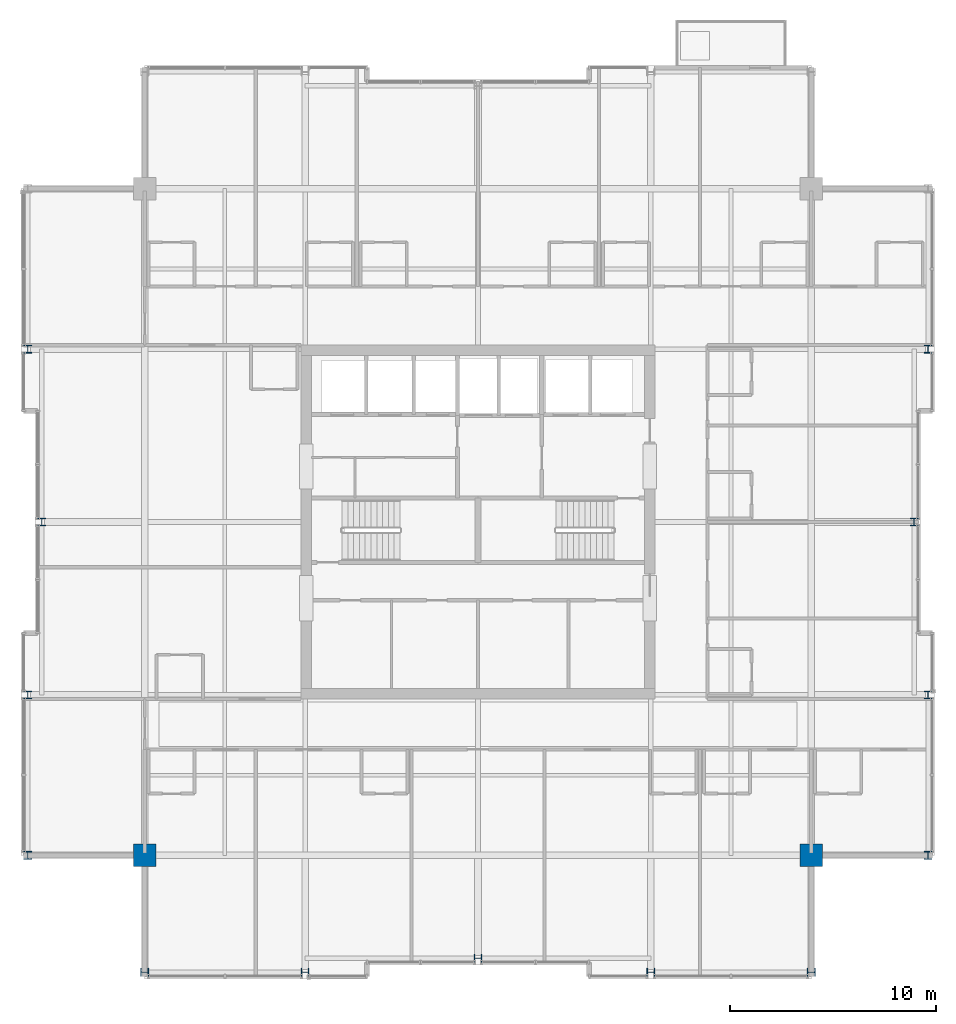
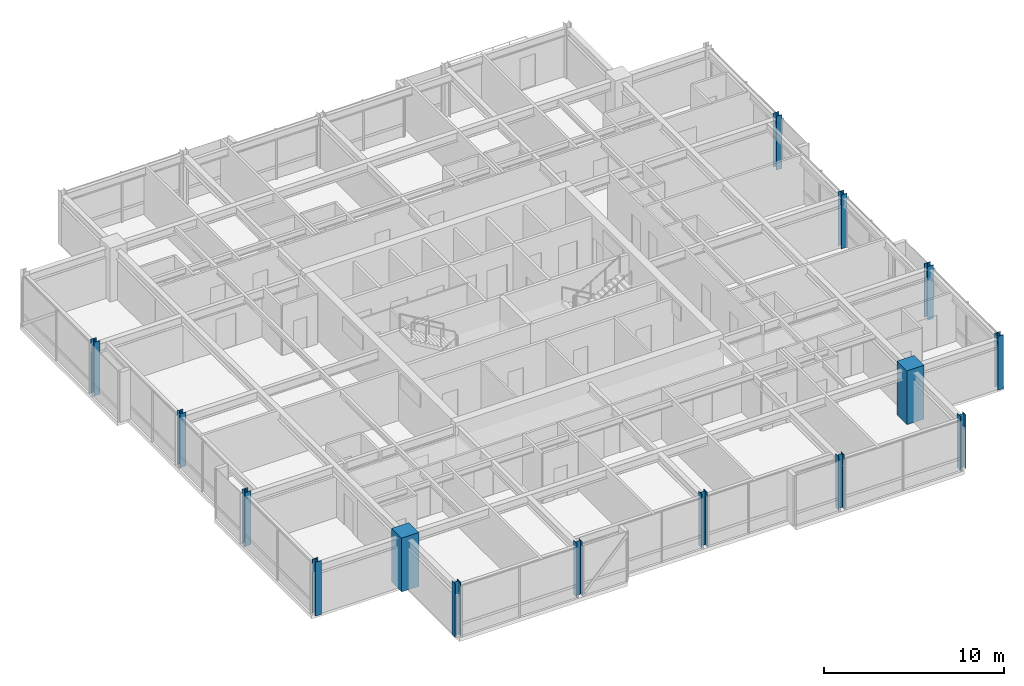
# One storey, part 1 of 33: 15 columns.
"""IFC4 building model written with IfcOpenShell, lengths in metres."""

from ifc_helpers import new_model, si_unit, direction, frame, origin, origin_2d, place, context, subcontext, project, spatial, rectangle, i_section, extrude, material, material_profile, profile_set, type_object, element, save


model = new_model("IFC4")

# Units and contexts
model_context = context("Model", 3, precision=1e-05, world=origin(), true_north=direction((0.0, 1.0)))
body_context = subcontext(model_context, "Body", "Model", "MODEL_VIEW")
ifc_project = project(units=[si_unit("LENGTHUNIT", "METRE"), si_unit("AREAUNIT", "SQUARE_METRE"), si_unit("VOLUMEUNIT", "CUBIC_METRE"), si_unit("PLANEANGLEUNIT", "RADIAN"), si_unit("MASSUNIT", "GRAM", prefix="KILO")], contexts=[model_context])

# Site, building, storey
site_placement = place(None, origin())
site = spatial("IfcSite", under=ifc_project, at=site_placement, CompositionType="ELEMENT")
building_placement = place(site_placement, origin())
building = spatial("IfcBuilding", under=site, at=building_placement, Name="Drelvath Grand Hotel", CompositionType="ELEMENT")
storey_placement = place(building_placement, frame((0.0, 0.0, 268.64990234375)))
storey = spatial("IfcBuildingStorey", under=building, at=storey_placement, Name="L70", CompositionType="ELEMENT", Elevation=268.64990234375)

# Columns
ifc_material_1 = material(Name="Concrete f'c 55 MPa", Category="concrete")
ifc_material_profile_1 = material_profile(ifc_material_1, rectangle(XDim=1.10009765625, YDim=1.10009765625, at=origin_2d()), Name="MC1100X1100")
ifc_profile_set_1 = profile_set([ifc_material_profile_1], Name="Concrete f'c 55 MPa")
column_type_1 = type_object("IfcColumnType", Name="Composite Mega Column MC1100X1100", PredefinedType="COLUMN", material=ifc_profile_set_1)
for number, where, z_axis, x_axis, name in (
    (1, (-16.199951171875, 10.800048828125, 0.0), (0.0, 0.0, 1.0), (1.0, 0.0, 0.0), "L70 Composite Mega Column MC-SW"),
    (2, (16.199951171875, 10.800048828125, 0.0), (0.0, 0.0, 1.0), (1.0, 0.0, 0.0), "L70 Composite Mega Column MC-SE"),
):
    element("IfcColumn", number, at=place(storey_placement, frame(where, z_axis=z_axis, x_axis=x_axis)), inside=storey, type_object=column_type_1, Name=name, PredefinedType="COLUMN", context=body_context, shape_type="SweptSolid", body=[
        extrude(rectangle(XDim=1.10009765625, YDim=1.10009765625, at=origin_2d()), origin(), (0.0, 0.0, 1.0), 3.650146484375),
    ])
ifc_material_2 = material(Name="Steel ASTM A913 Gr 65", Category="steel")
ifc_material_profile_2 = material_profile(ifc_material_2, i_section(OverallWidth=0.3740234375, OverallDepth=0.372314453125, WebThickness=0.016357421875, FlangeThickness=0.026123046875, FilletRadius=0.02490234375, at=origin_2d()), Name="W14X132")
ifc_profile_set_2 = profile_set([ifc_material_profile_2], Name="Steel ASTM A913 Gr 65")
column_type_2 = type_object("IfcColumnType", Name="Perimeter Steel Column W14X132", PredefinedType="COLUMN", material=ifc_profile_set_2)
for number, where, z_axis, x_axis, name in (
    (3, (-21.8798828125, 10.800048828125, 0.0), (0.0, 0.0, 1.0), (1.0, 0.0, 0.0), "L70 Structural Column TCW-C"),
    (4, (21.8798828125, 10.800048828125, 0.0), (0.0, 0.0, 1.0), (1.0, 0.0, 0.0), "L70 Structural Column TCE-C"),
    (5, (-21.8798828125, 18.60009765625, 0.0), (0.0, 0.0, 1.0), (1.0, 0.0, 0.0), "L70 Structural Column TCW-D"),
    (6, (21.8798828125, 18.60009765625, 0.0), (0.0, 0.0, 1.0), (1.0, 0.0, 0.0), "L70 Structural Column TCE-D"),
    (7, (-21.199951171875, 27.0, 0.0), (0.0, 0.0, 1.0), (1.0, 0.0, 0.0), "L70 Structural Column TCW-E"),
    (8, (21.199951171875, 27.0, 0.0), (0.0, 0.0, 1.0), (1.0, 0.0, 0.0), "L70 Structural Column TCE-E"),
    (9, (-21.8798828125, 35.39990234375, 0.0), (0.0, 0.0, 1.0), (1.0, 0.0, 0.0), "L70 Structural Column TCW-F"),
    (10, (21.8798828125, 35.39990234375, 0.0), (0.0, 0.0, 1.0), (1.0, 0.0, 0.0), "L70 Structural Column TCE-F"),
    (11, (-16.199951171875, 5.1201171875, 0.0), (0.0, 0.0, 1.0), (0.0, 1.0, 0.0), "L70 Structural Column TCS-3"),
    (12, (-8.39990234375, 5.1201171875, 0.0), (0.0, 0.0, 1.0), (0.0, 1.0, 0.0), "L70 Structural Column TCS-4"),
    (13, (0.0, 5.800048828125, 0.0), (0.0, 0.0, 1.0), (0.0, 1.0, 0.0), "L70 Structural Column TCS-5"),
    (14, (8.39990234375, 5.1201171875, 0.0), (0.0, 0.0, 1.0), (0.0, 1.0, 0.0), "L70 Structural Column TCS-6"),
    (15, (16.199951171875, 5.1201171875, 0.0), (0.0, 0.0, 1.0), (0.0, 1.0, 0.0), "L70 Structural Column TCS-7"),
):
    element("IfcColumn", number, at=place(storey_placement, frame(where, z_axis=z_axis, x_axis=x_axis)), inside=storey, type_object=column_type_2, Name=name, PredefinedType="COLUMN", context=body_context, shape_type="SweptSolid", body=[
        extrude(i_section(OverallWidth=0.3740234375, OverallDepth=0.372314453125, WebThickness=0.016357421875, FlangeThickness=0.026123046875, FilletRadius=0.02490234375, at=origin_2d()), origin(), (0.0, 0.0, 1.0), 3.647216796875),
    ])

save(model, "model.ifc")
